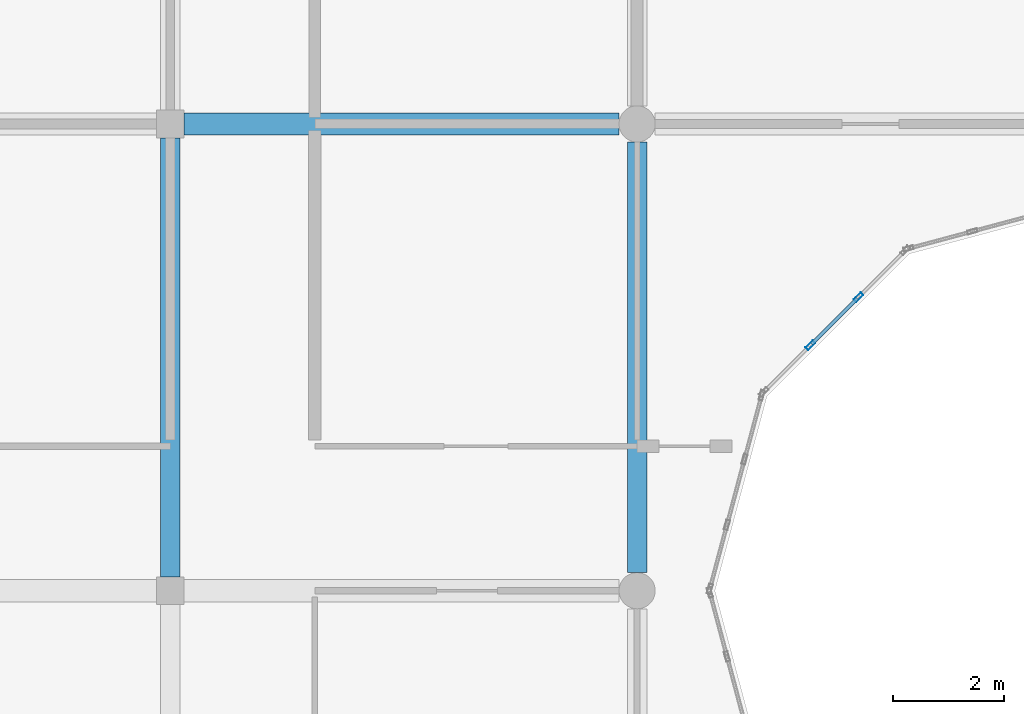
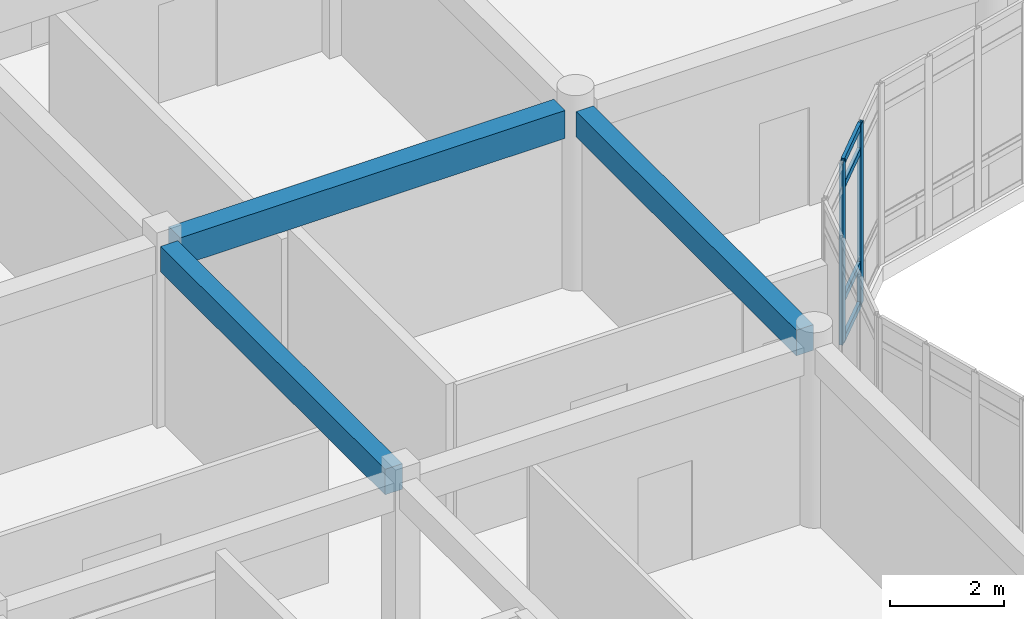
# One storey, part 33 of 119: 6 members, 3 beams, 1 element without a shape of its own.
"""IFC4 building model written with IfcOpenShell, lengths in metres."""

import ifcopenshell
import ifcopenshell.guid

model = None  # the IFC model being written
_history = None  # IfcOwnerHistory: only IFC2X3 demands one
_inside = {}  # id of a spatial element -> (the spatial element, [elements in it])
_under = {}  # id of a project, library or spatial element -> (it, [spatial elements below it])
_declared = {}  # id of a project -> (the project, [libraries it declares])
_typed = {}  # id of a type object -> (the type object, [elements of that type])
_made_of = {}  # id of a material, layer set ... -> (it, [elements and type objects made of it])


def new_model(schema):
    """Start an empty IFC model of exactly this schema.

    Asked for "IFC4X3", IfcOpenShell would pick the latest addendum, in which some entities
    have other attributes; the version numbers below select the first issue.
    IFC2X3 requires an IfcOwnerHistory on every rooted entity: one is made here for all.
    """
    global model, _history
    if schema == "IFC4X3":
        model = ifcopenshell.file(schema_version=(4, 3, 0, 0))
    else:
        model = ifcopenshell.file(schema=schema)
    _inside.clear()
    _under.clear()
    _declared.clear()
    _typed.clear()
    _made_of.clear()
    _history = None
    if model.schema == "IFC2X3":
        org = make("IfcOrganization", Name="unknown")
        user = make(
            "IfcPersonAndOrganization",
            ThePerson=make("IfcPerson", FamilyName="unknown"),
            TheOrganization=org,
        )
        app = make(
            "IfcApplication",
            ApplicationDeveloper=org,
            Version="unknown",
            ApplicationFullName="unknown",
            ApplicationIdentifier="unknown",
        )
        _history = make(
            "IfcOwnerHistory",
            OwningUser=user,
            OwningApplication=app,
            ChangeAction="ADDED",
            CreationDate=0,
        )
    return model


def make(cls, **values):
    """One entity of the class cls with the attributes given. An attribute that is None is left unset."""
    return model.create_entity(
        cls, **{name: value for name, value in values.items() if value is not None}
    )


def rooted(cls, **values):
    """An entity with a GlobalId (a new one), such as an element, a storey or a relation."""
    return make(cls, GlobalId=ifcopenshell.guid.new(), OwnerHistory=_history, **values)


def si_unit(unit_type, name, prefix=None):
    """IfcSIUnit, for example si_unit("LENGTHUNIT", "METRE", prefix="MILLI")."""
    return make("IfcSIUnit", UnitType=unit_type, Prefix=prefix, Name=name)


def assignment(units):
    """IfcUnitAssignment: the units of a project."""
    return None if units is None else make("IfcUnitAssignment", Units=units)


def point(xyz):
    """IfcCartesianPoint."""
    return None if xyz is None else make("IfcCartesianPoint", Coordinates=xyz)


def direction(xyz):
    """IfcDirection."""
    return None if xyz is None else make("IfcDirection", DirectionRatios=xyz)


def frame(location, z_axis=None, x_axis=None):
    """IfcAxis2Placement3D, a coordinate frame: its origin and axes. An axis left out is left unset."""
    return make(
        "IfcAxis2Placement3D",
        Location=point(location),
        Axis=direction(z_axis),
        RefDirection=direction(x_axis),
    )


def frame_2d(location, x_axis=None):
    """IfcAxis2Placement2D, a coordinate frame in the plane: its origin and x axis."""
    return make(
        "IfcAxis2Placement2D", Location=point(location), RefDirection=direction(x_axis)
    )


def origin():
    """The frame at (0, 0, 0) with its axes left unset."""
    return frame((0.0, 0.0, 0.0))


def origin_2d():
    """The frame at (0, 0) in the plane with its x axis left unset."""
    return frame_2d((0.0, 0.0))


def place(relative_to, where):
    """IfcLocalPlacement: puts the frame where relative to a parent placement (None: the world)."""
    return make(
        "IfcLocalPlacement", PlacementRelTo=relative_to, RelativePlacement=where
    )


def context(
    kind, dimensions, precision=None, world=None, true_north=None, identifier=None
):
    """IfcGeometricRepresentationContext, for example the 3D "Model" context."""
    return make(
        "IfcGeometricRepresentationContext",
        ContextIdentifier=identifier,
        ContextType=kind,
        CoordinateSpaceDimension=dimensions,
        Precision=precision,
        WorldCoordinateSystem=world,
        TrueNorth=true_north,
    )


def subcontext(parent, identifier, kind, view, scale=None):
    """IfcGeometricRepresentationSubContext, for example "Body" below "Model"."""
    return make(
        "IfcGeometricRepresentationSubContext",
        ContextIdentifier=identifier,
        ContextType=kind,
        ParentContext=parent,
        TargetScale=scale,
        TargetView=view,
    )


def project(units=None, contexts=None):
    """IfcProject with its units and contexts."""
    return rooted(
        "IfcProject",
        Name="project",
        RepresentationContexts=contexts,
        UnitsInContext=assignment(units),
    )


def spatial(cls, under=None, at=None, **own):
    """A site, building, storey or space (cls), placed at a placement, below another one or the project."""
    s = rooted(cls, ObjectPlacement=at, **own)
    if under is not None:
        _under.setdefault(under.id(), (under, []))[1].append(s)
    return s


def profile(cls, at=None, kind="AREA", **sizes):
    """A parametric profile (cls). Its sizes go by their IFC names, for example OverallWidth=200.0."""
    return make(cls, ProfileType=kind, Position=at, **sizes)


def rectangle(**sizes):
    """IfcRectangleProfileDef."""
    return profile("IfcRectangleProfileDef", **sizes)


def hollow_rectangle(**sizes):
    """IfcRectangleHollowProfileDef."""
    return profile("IfcRectangleHollowProfileDef", **sizes)


def extrude(swept, where, along, depth):
    """IfcExtrudedAreaSolid: the profile swept, set in the frame where, extruded along a direction by depth."""
    return make(
        "IfcExtrudedAreaSolid",
        SweptArea=swept,
        Position=where,
        ExtrudedDirection=direction(along),
        Depth=depth,
    )


def shape(context_of_items, identifier, shape_type, items):
    """IfcShapeRepresentation: the items that make up one representation, for example the "Body"."""
    return make(
        "IfcShapeRepresentation",
        ContextOfItems=context_of_items,
        RepresentationIdentifier=identifier,
        RepresentationType=shape_type,
        Items=items,
    )


def material(Name=None, Category=None):
    """IfcMaterial."""
    return make("IfcMaterial", Name=Name, Category=Category)


def layer(
    of_material, thickness, ventilated=None, Name=None, Category=None, Priority=None
):
    """IfcMaterialLayer: one layer of a wall or slab, of a material (None: an air gap)."""
    return make(
        "IfcMaterialLayer",
        Material=of_material,
        LayerThickness=thickness,
        IsVentilated=ventilated,
        Name=Name,
        Category=Category,
        Priority=Priority,
    )


def layer_set(layers, Name=None):
    """IfcMaterialLayerSet."""
    return make("IfcMaterialLayerSet", MaterialLayers=layers, LayerSetName=Name)


def material_profile(
    of_material, cross_section, Name=None, Category=None, Priority=None
):
    """IfcMaterialProfile: a cross section and its material."""
    return make(
        "IfcMaterialProfile",
        Name=Name,
        Material=of_material,
        Profile=cross_section,
        Priority=Priority,
        Category=Category,
    )


def profile_set(profiles, Name=None, composite=None):
    """IfcMaterialProfileSet."""
    return make(
        "IfcMaterialProfileSet",
        Name=Name,
        MaterialProfiles=profiles,
        CompositeProfile=composite,
    )


def made_of(thing, what):
    """Note that an element or type object is made of a material, layer set ...; save() writes the relation."""
    if what is not None:
        _made_of.setdefault(what.id(), (what, []))[1].append(thing)
    return thing


def type_object(cls, material=None, **own):
    """A type object (cls), such as IfcWallType, which elements share."""
    return made_of(rooted(cls, **own), material)


def element(
    cls,
    number,
    at=None,
    inside=None,
    cuts=None,
    type_object=None,
    material=None,
    context=None,
    identifier="Body",
    shape_type=None,
    held_by="IfcProductDefinitionShape",
    body=None,
    shapes=None,
    **own,
):
    """One element of the class cls, such as IfcWall. Its Tag is "e" and its number.

    at: its placement. inside: the storey or other place that contains it. cuts: it is an
    opening in that element (IfcRelVoidsElement). A single representation is given by context,
    identifier, shape_type and body (its items); several are given by shapes. held_by: the class
    of the entity that holds the representations. save() writes the other relations.
    """
    e = rooted(cls, Tag="e%d" % number, ObjectPlacement=at, **own)
    if body is not None:
        shapes = [shape(context, identifier, shape_type, body)]
    if shapes is not None:
        e.Representation = make(held_by, Representations=shapes)
    if inside is not None:
        _inside.setdefault(inside.id(), (inside, []))[1].append(e)
    if cuts is not None:
        rooted(
            "IfcRelVoidsElement", RelatingBuildingElement=cuts, RelatedOpeningElement=e
        )
    if type_object is not None:
        _typed.setdefault(type_object.id(), (type_object, []))[1].append(e)
    return made_of(e, material)


def aggregate(whole, parts):
    """IfcRelAggregates: a whole, such as a stair, and the parts it consists of."""
    return rooted("IfcRelAggregates", RelatingObject=whole, RelatedObjects=parts)


def save(model, path):
    """Write the relations noted so far, then the file.

    IfcRelAggregates (storeys below a building ...), IfcRelContainedInSpatialStructure (elements
    in a storey), IfcRelDefinesByType, IfcRelAssociatesMaterial and IfcRelDeclares: one each for
    every whole, place, type object, material and project.
    """
    for whole, parts in _under.values():
        aggregate(whole, parts)
    for where, things in _inside.values():
        rooted(
            "IfcRelContainedInSpatialStructure",
            RelatedElements=things,
            RelatingStructure=where,
        )
    for kind, things in _typed.values():
        rooted("IfcRelDefinesByType", RelatedObjects=things, RelatingType=kind)
    for what, things in _made_of.values():
        rooted("IfcRelAssociatesMaterial", RelatedObjects=things, RelatingMaterial=what)
    for by, libraries in _declared.values():
        rooted("IfcRelDeclares", RelatingContext=by, RelatedDefinitions=libraries)
    model.write(path)


model = new_model("IFC4")

# Units and contexts
model_context = context("Model", 3, precision=1e-05, world=origin(), true_north=direction((0.0, 1.0)))
body_context = subcontext(model_context, "Body", "Model", "MODEL_VIEW")
ifc_project = project(units=[si_unit("LENGTHUNIT", "METRE"), si_unit("AREAUNIT", "SQUARE_METRE"), si_unit("VOLUMEUNIT", "CUBIC_METRE"), si_unit("PLANEANGLEUNIT", "RADIAN"), si_unit("MASSUNIT", "GRAM", prefix="KILO")], contexts=[model_context])

# Site, building, storey
site_placement = place(None, origin())
site = spatial("IfcSite", under=ifc_project, at=site_placement, CompositionType="ELEMENT")
building_placement = place(site_placement, origin())
building = spatial("IfcBuilding", under=site, at=building_placement, Name="Bramfleet General Hospital", CompositionType="ELEMENT")
storey_placement = place(building_placement, frame((0.0, 0.0, 14.39990234375)))
storey = spatial("IfcBuildingStorey", under=building, at=storey_placement, Name="L03", CompositionType="ELEMENT", Elevation=14.39990234375)

# Beams
ifc_material_1 = material(Name="Concrete C35/45", Category="concrete")
ifc_material_profile_1 = material_profile(ifc_material_1, rectangle(XDim=0.35009765625, YDim=0.550048828125, at=origin_2d()), Name="RC BM 550x350")
ifc_profile_set_1 = profile_set([ifc_material_profile_1], Name="Concrete C35/45")
beam_type_1 = type_object("IfcBeamType", Name="BM-RC550", PredefinedType="BEAM", material=ifc_profile_set_1)
beam_1_placement = place(storey_placement, frame((67.199951171875, 75.85009765625, 3.614990234375), z_axis=(0.0, 1.0, 0.0), x_axis=(-1.0, 0.0, 0.0)))
element("IfcBeam", 1, at=beam_1_placement, inside=storey, type_object=beam_type_1, Name="L03 Grid Beam Y 08-09", PredefinedType="BEAM", context=body_context, shape_type="SweptSolid", body=[
    extrude(rectangle(XDim=0.35009765625, YDim=0.550048828125, at=origin_2d()), origin(), (0.0, 0.0, 1.0), 7.89990234375),
])
beam_2_placement = place(storey_placement, frame((75.60009765625, 75.925048828125, 3.614990234375), z_axis=(0.0, 1.0, 0.0), x_axis=(-1.0, 0.0, 0.0)))
element("IfcBeam", 2, at=beam_2_placement, inside=storey, type_object=beam_type_1, Name="L03 Grid Beam Y 09-09", PredefinedType="BEAM", context=body_context, shape_type="SweptSolid", body=[
    extrude(rectangle(XDim=0.35009765625, YDim=0.550048828125, at=origin_2d()), origin(), (0.0, 0.0, 1.0), 7.75),
])
ifc_material_profile_2 = material_profile(ifc_material_1, rectangle(XDim=0.39990234375, YDim=0.60009765625, at=origin_2d()), Name="RC BM 600x400")
ifc_profile_set_2 = profile_set([ifc_material_profile_2], Name="Concrete C35/45")
beam_type_2 = type_object("IfcBeamType", Name="BM-RC600", PredefinedType="BEAM", material=ifc_profile_set_2)
beam_3_placement = place(storey_placement, frame((67.449951171875, 84.0, 3.590087890625), z_axis=(1.0, 0.0, 0.0), x_axis=(0.0, 1.0, 0.0)))
element("IfcBeam", 3, at=beam_3_placement, inside=storey, type_object=beam_type_2, Name="L03 Grid Beam X 08-10", PredefinedType="BEAM", context=body_context, shape_type="SweptSolid", body=[
    extrude(rectangle(XDim=0.39990234375, YDim=0.60009765625, at=origin_2d()), origin(), (0.0, 0.0, 1.0), 7.824951171875),
])

# Curtain wall, members
ifc_material_2 = material(Name="Anodised aluminium and low-E triple glazing", Category="aluminium")
ifc_layer = layer(ifc_material_2, 0.179931640625, Name="CWT-CW-15")
ifc_layer_set = layer_set([ifc_layer], Name="Anodised aluminium and low-E triple glazing")
curtain_wall_type = type_object("IfcCurtainWallType", Name="CWT-CW-15", PredefinedType="USERDEFINED", material=ifc_layer_set)
curtain_wall_placement = place(storey_placement, origin())
curtain_wall = element("IfcCurtainWall", 4, at=curtain_wall_placement, inside=storey, type_object=curtain_wall_type, Name="L03 Central Diagnostic Light Court Curtain Wall 11.1", ObjectType="Stick curtain wall", PredefinedType="USERDEFINED")
ifc_material_3 = material(Name="Anodised aluminium EN AW-6060", Category="aluminium")
ifc_material_profile_3 = material_profile(ifc_material_3, hollow_rectangle(XDim=0.070068359375, YDim=0.179931640625, WallThickness=0.00390625, at=origin_2d()), Name="ALU 180x70x4.0")
ifc_profile_set_3 = profile_set([ifc_material_profile_3], Name="Anodised aluminium EN AW-6060")
member_type_1 = type_object("IfcMemberType", Name="CWM-ALU180", PredefinedType="MULLION", material=ifc_profile_set_3)
member_1_placement = place(storey_placement, frame((79.583740234375, 80.882568359375, 0.0), z_axis=(0.0, 0.0, 1.0), x_axis=(0.707106781187, -0.707106781187, 0.0)))
member_1 = element("IfcMember", 5, at=member_1_placement, type_object=member_type_1, Name="CW-15 mullion 2", PredefinedType="MULLION", context=body_context, shape_type="SweptSolid", body=[
    extrude(hollow_rectangle(XDim=0.070068359375, YDim=0.179931640625, WallThickness=0.00390625, at=origin_2d()), origin(), (0.0, 0.0, 1.0), 3.89013671875),
])
member_2_placement = place(storey_placement, frame((78.71728515625, 80.016357421875, 0.0), z_axis=(0.0, 0.0, 1.0), x_axis=(0.707106781187, -0.707106781187, 0.0)))
member_2 = element("IfcMember", 6, at=member_2_placement, type_object=member_type_1, Name="CW-15 mullion 3", PredefinedType="MULLION", context=body_context, shape_type="SweptSolid", body=[
    extrude(hollow_rectangle(XDim=0.070068359375, YDim=0.179931640625, WallThickness=0.00390625, at=origin_2d()), origin(), (0.0, 0.0, 1.0), 3.89013671875),
])
ifc_material_profile_4 = material_profile(ifc_material_3, hollow_rectangle(XDim=0.06494140625, YDim=0.139892578125, WallThickness=0.00390625, at=origin_2d()), Name="ALU 140x65x4.0")
ifc_profile_set_4 = profile_set([ifc_material_profile_4], Name="Anodised aluminium EN AW-6060")
member_type_2 = type_object("IfcMemberType", Name="CWT-ALU140", PredefinedType="USERDEFINED", material=ifc_profile_set_4)
member_3_placement = place(storey_placement, frame((79.558837890625, 80.85791015625, 0.03271484375), z_axis=(-0.707001093006, -0.707212453572, 0.0), x_axis=(0.707212453572, -0.707001093006, 0.0)))
member_3 = element("IfcMember", 7, at=member_3_placement, type_object=member_type_2, Name="CW-15 transom 2.1", ObjectType="TRANSOM", PredefinedType="USERDEFINED", context=body_context, shape_type="SweptSolid", body=[
    extrude(hollow_rectangle(XDim=0.06494140625, YDim=0.139892578125, WallThickness=0.00390625, at=origin_2d()), origin(), (0.0, 0.0, 1.0), 1.155029296875),
])
member_4_placement = place(storey_placement, frame((79.558837890625, 80.85791015625, 0.900146484375), z_axis=(-0.707001093006, -0.707212453572, 0.0), x_axis=(0.707212453572, -0.707001093006, 0.0)))
member_4 = element("IfcMember", 8, at=member_4_placement, type_object=member_type_2, Name="CW-15 transom 2.2", ObjectType="TRANSOM", PredefinedType="USERDEFINED", context=body_context, shape_type="SweptSolid", body=[
    extrude(hollow_rectangle(XDim=0.06494140625, YDim=0.139892578125, WallThickness=0.00390625, at=origin_2d()), origin(), (0.0, 0.0, 1.0), 1.155029296875),
])
member_5_placement = place(storey_placement, frame((79.558837890625, 80.85791015625, 3.340087890625), z_axis=(-0.707001093006, -0.707212453572, 0.0), x_axis=(0.707212453572, -0.707001093006, 0.0)))
member_5 = element("IfcMember", 9, at=member_5_placement, type_object=member_type_2, Name="CW-15 transom 2.3", ObjectType="TRANSOM", PredefinedType="USERDEFINED", context=body_context, shape_type="SweptSolid", body=[
    extrude(hollow_rectangle(XDim=0.06494140625, YDim=0.139892578125, WallThickness=0.00390625, at=origin_2d()), origin(), (0.0, 0.0, 1.0), 1.155029296875),
])
member_6_placement = place(storey_placement, frame((79.558837890625, 80.85791015625, 3.857666015625), z_axis=(-0.707001093006, -0.707212453572, 0.0), x_axis=(0.707212453572, -0.707001093006, 0.0)))
member_6 = element("IfcMember", 10, at=member_6_placement, type_object=member_type_2, Name="CW-15 transom 2.4", ObjectType="TRANSOM", PredefinedType="USERDEFINED", context=body_context, shape_type="SweptSolid", body=[
    extrude(hollow_rectangle(XDim=0.06494140625, YDim=0.139892578125, WallThickness=0.00390625, at=origin_2d()), origin(), (0.0, 0.0, 1.0), 1.155029296875),
])
aggregate(curtain_wall, [member_1, member_2, member_3, member_4, member_5, member_6])

save(model, "model.ifc")
